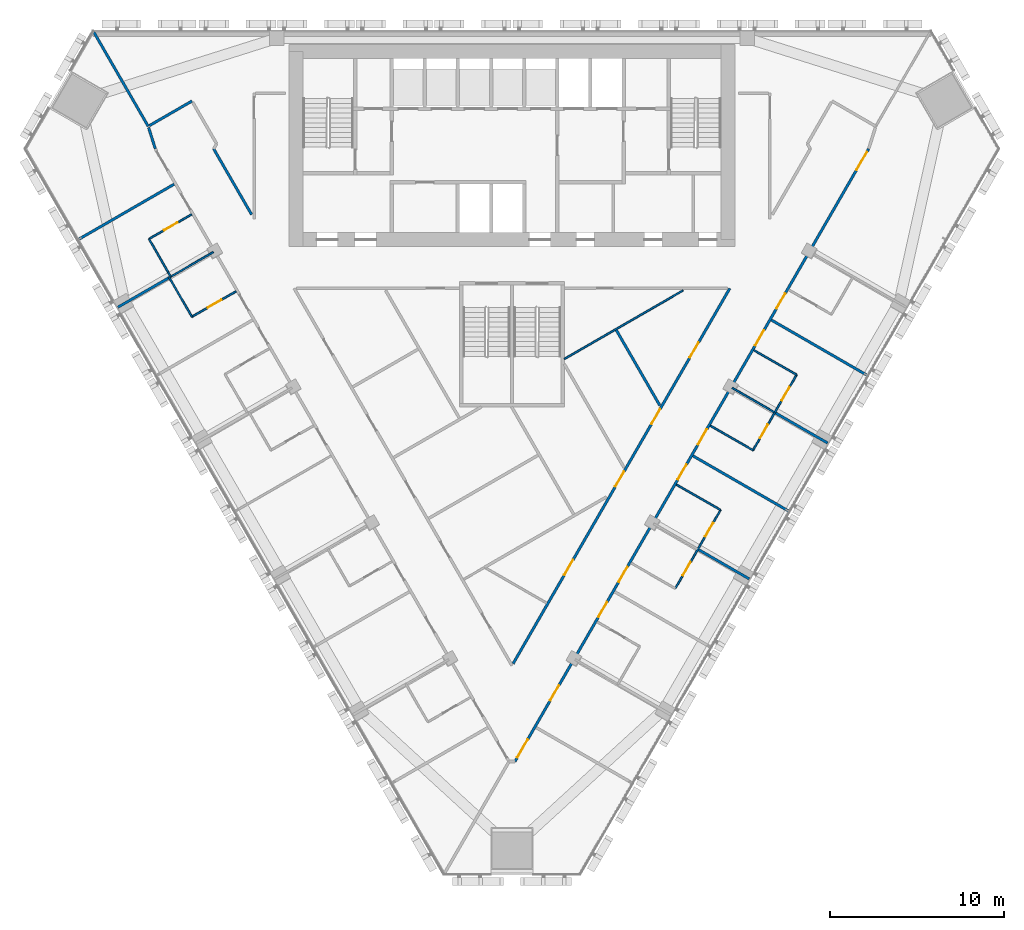
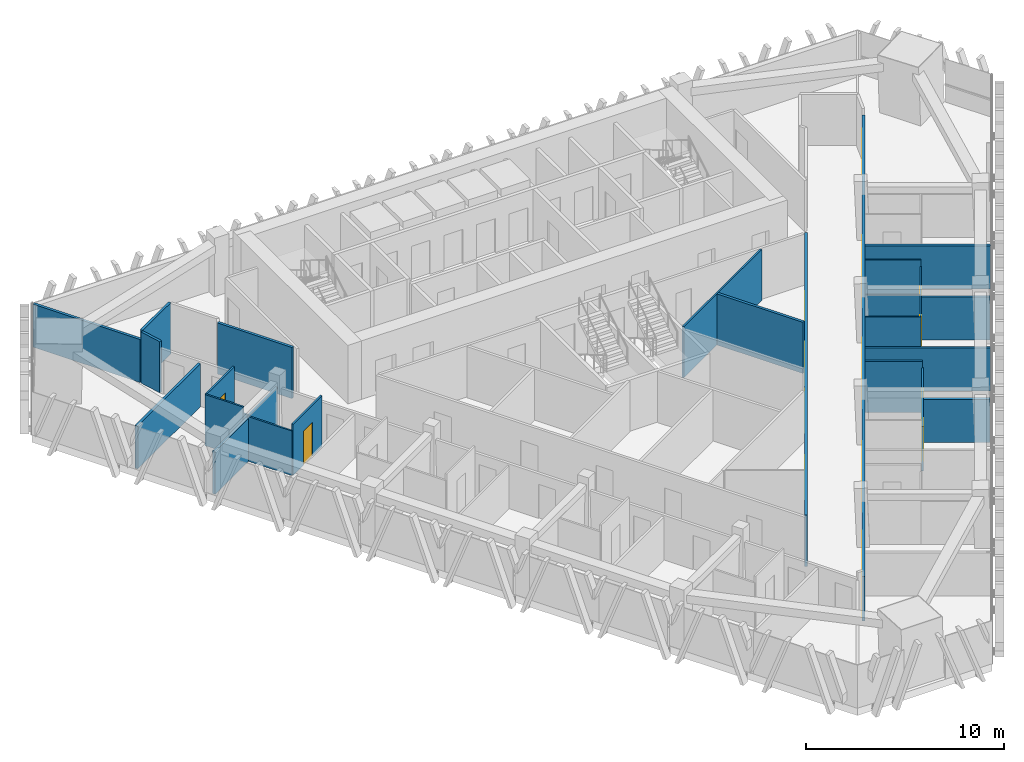
# One storey, part 10 of 16: 26 walls, 19 doors, 19 openings.
"""IFC4 building model written with IfcOpenShell, lengths in metres."""

import ifcopenshell
import ifcopenshell.guid

model = None  # the IFC model being written
_history = None  # IfcOwnerHistory: only IFC2X3 demands one
_inside = {}  # id of a spatial element -> (the spatial element, [elements in it])
_under = {}  # id of a project, library or spatial element -> (it, [spatial elements below it])
_declared = {}  # id of a project -> (the project, [libraries it declares])
_typed = {}  # id of a type object -> (the type object, [elements of that type])
_made_of = {}  # id of a material, layer set ... -> (it, [elements and type objects made of it])


def new_model(schema):
    """Start an empty IFC model of exactly this schema.

    Asked for "IFC4X3", IfcOpenShell would pick the latest addendum, in which some entities
    have other attributes; the version numbers below select the first issue.
    IFC2X3 requires an IfcOwnerHistory on every rooted entity: one is made here for all.
    """
    global model, _history
    if schema == "IFC4X3":
        model = ifcopenshell.file(schema_version=(4, 3, 0, 0))
    else:
        model = ifcopenshell.file(schema=schema)
    _inside.clear()
    _under.clear()
    _declared.clear()
    _typed.clear()
    _made_of.clear()
    _history = None
    if model.schema == "IFC2X3":
        org = make("IfcOrganization", Name="unknown")
        user = make(
            "IfcPersonAndOrganization",
            ThePerson=make("IfcPerson", FamilyName="unknown"),
            TheOrganization=org,
        )
        app = make(
            "IfcApplication",
            ApplicationDeveloper=org,
            Version="unknown",
            ApplicationFullName="unknown",
            ApplicationIdentifier="unknown",
        )
        _history = make(
            "IfcOwnerHistory",
            OwningUser=user,
            OwningApplication=app,
            ChangeAction="ADDED",
            CreationDate=0,
        )
    return model


def make(cls, **values):
    """One entity of the class cls with the attributes given. An attribute that is None is left unset."""
    return model.create_entity(
        cls, **{name: value for name, value in values.items() if value is not None}
    )


def rooted(cls, **values):
    """An entity with a GlobalId (a new one), such as an element, a storey or a relation."""
    return make(cls, GlobalId=ifcopenshell.guid.new(), OwnerHistory=_history, **values)


def si_unit(unit_type, name, prefix=None):
    """IfcSIUnit, for example si_unit("LENGTHUNIT", "METRE", prefix="MILLI")."""
    return make("IfcSIUnit", UnitType=unit_type, Prefix=prefix, Name=name)


def assignment(units):
    """IfcUnitAssignment: the units of a project."""
    return None if units is None else make("IfcUnitAssignment", Units=units)


def point(xyz):
    """IfcCartesianPoint."""
    return None if xyz is None else make("IfcCartesianPoint", Coordinates=xyz)


def direction(xyz):
    """IfcDirection."""
    return None if xyz is None else make("IfcDirection", DirectionRatios=xyz)


def frame(location, z_axis=None, x_axis=None):
    """IfcAxis2Placement3D, a coordinate frame: its origin and axes. An axis left out is left unset."""
    return make(
        "IfcAxis2Placement3D",
        Location=point(location),
        Axis=direction(z_axis),
        RefDirection=direction(x_axis),
    )


def frame_2d(location, x_axis=None):
    """IfcAxis2Placement2D, a coordinate frame in the plane: its origin and x axis."""
    return make(
        "IfcAxis2Placement2D", Location=point(location), RefDirection=direction(x_axis)
    )


def origin():
    """The frame at (0, 0, 0) with its axes left unset."""
    return frame((0.0, 0.0, 0.0))


def place(relative_to, where):
    """IfcLocalPlacement: puts the frame where relative to a parent placement (None: the world)."""
    return make(
        "IfcLocalPlacement", PlacementRelTo=relative_to, RelativePlacement=where
    )


def context(
    kind, dimensions, precision=None, world=None, true_north=None, identifier=None
):
    """IfcGeometricRepresentationContext, for example the 3D "Model" context."""
    return make(
        "IfcGeometricRepresentationContext",
        ContextIdentifier=identifier,
        ContextType=kind,
        CoordinateSpaceDimension=dimensions,
        Precision=precision,
        WorldCoordinateSystem=world,
        TrueNorth=true_north,
    )


def subcontext(parent, identifier, kind, view, scale=None):
    """IfcGeometricRepresentationSubContext, for example "Body" below "Model"."""
    return make(
        "IfcGeometricRepresentationSubContext",
        ContextIdentifier=identifier,
        ContextType=kind,
        ParentContext=parent,
        TargetScale=scale,
        TargetView=view,
    )


def project(units=None, contexts=None):
    """IfcProject with its units and contexts."""
    return rooted(
        "IfcProject",
        Name="project",
        RepresentationContexts=contexts,
        UnitsInContext=assignment(units),
    )


def spatial(cls, under=None, at=None, **own):
    """A site, building, storey or space (cls), placed at a placement, below another one or the project."""
    s = rooted(cls, ObjectPlacement=at, **own)
    if under is not None:
        _under.setdefault(under.id(), (under, []))[1].append(s)
    return s


def profile(cls, at=None, kind="AREA", **sizes):
    """A parametric profile (cls). Its sizes go by their IFC names, for example OverallWidth=200.0."""
    return make(cls, ProfileType=kind, Position=at, **sizes)


def rectangle(**sizes):
    """IfcRectangleProfileDef."""
    return profile("IfcRectangleProfileDef", **sizes)


def extrude(swept, where, along, depth):
    """IfcExtrudedAreaSolid: the profile swept, set in the frame where, extruded along a direction by depth."""
    return make(
        "IfcExtrudedAreaSolid",
        SweptArea=swept,
        Position=where,
        ExtrudedDirection=direction(along),
        Depth=depth,
    )


def shape(context_of_items, identifier, shape_type, items):
    """IfcShapeRepresentation: the items that make up one representation, for example the "Body"."""
    return make(
        "IfcShapeRepresentation",
        ContextOfItems=context_of_items,
        RepresentationIdentifier=identifier,
        RepresentationType=shape_type,
        Items=items,
    )


def material(Name=None, Category=None):
    """IfcMaterial."""
    return make("IfcMaterial", Name=Name, Category=Category)


def layer(
    of_material, thickness, ventilated=None, Name=None, Category=None, Priority=None
):
    """IfcMaterialLayer: one layer of a wall or slab, of a material (None: an air gap)."""
    return make(
        "IfcMaterialLayer",
        Material=of_material,
        LayerThickness=thickness,
        IsVentilated=ventilated,
        Name=Name,
        Category=Category,
        Priority=Priority,
    )


def layer_set(layers, Name=None):
    """IfcMaterialLayerSet."""
    return make("IfcMaterialLayerSet", MaterialLayers=layers, LayerSetName=Name)


def made_of(thing, what):
    """Note that an element or type object is made of a material, layer set ...; save() writes the relation."""
    if what is not None:
        _made_of.setdefault(what.id(), (what, []))[1].append(thing)
    return thing


def type_object(cls, material=None, **own):
    """A type object (cls), such as IfcWallType, which elements share."""
    return made_of(rooted(cls, **own), material)


def element(
    cls,
    number,
    at=None,
    inside=None,
    cuts=None,
    type_object=None,
    material=None,
    context=None,
    identifier="Body",
    shape_type=None,
    held_by="IfcProductDefinitionShape",
    body=None,
    shapes=None,
    **own,
):
    """One element of the class cls, such as IfcWall. Its Tag is "e" and its number.

    at: its placement. inside: the storey or other place that contains it. cuts: it is an
    opening in that element (IfcRelVoidsElement). A single representation is given by context,
    identifier, shape_type and body (its items); several are given by shapes. held_by: the class
    of the entity that holds the representations. save() writes the other relations.
    """
    e = rooted(cls, Tag="e%d" % number, ObjectPlacement=at, **own)
    if body is not None:
        shapes = [shape(context, identifier, shape_type, body)]
    if shapes is not None:
        e.Representation = make(held_by, Representations=shapes)
    if inside is not None:
        _inside.setdefault(inside.id(), (inside, []))[1].append(e)
    if cuts is not None:
        rooted(
            "IfcRelVoidsElement", RelatingBuildingElement=cuts, RelatedOpeningElement=e
        )
    if type_object is not None:
        _typed.setdefault(type_object.id(), (type_object, []))[1].append(e)
    return made_of(e, material)


def fill(opening, filler):
    """IfcRelFillsElement: the door or window that sits in an opening."""
    return rooted(
        "IfcRelFillsElement",
        RelatingOpeningElement=opening,
        RelatedBuildingElement=filler,
    )


def aggregate(whole, parts):
    """IfcRelAggregates: a whole, such as a stair, and the parts it consists of."""
    return rooted("IfcRelAggregates", RelatingObject=whole, RelatedObjects=parts)


def save(model, path):
    """Write the relations noted so far, then the file.

    IfcRelAggregates (storeys below a building ...), IfcRelContainedInSpatialStructure (elements
    in a storey), IfcRelDefinesByType, IfcRelAssociatesMaterial and IfcRelDeclares: one each for
    every whole, place, type object, material and project.
    """
    for whole, parts in _under.values():
        aggregate(whole, parts)
    for where, things in _inside.values():
        rooted(
            "IfcRelContainedInSpatialStructure",
            RelatedElements=things,
            RelatingStructure=where,
        )
    for kind, things in _typed.values():
        rooted("IfcRelDefinesByType", RelatedObjects=things, RelatingType=kind)
    for what, things in _made_of.values():
        rooted("IfcRelAssociatesMaterial", RelatedObjects=things, RelatingMaterial=what)
    for by, libraries in _declared.values():
        rooted("IfcRelDeclares", RelatingContext=by, RelatedDefinitions=libraries)
    model.write(path)


model = new_model("IFC4")

# Units and contexts
model_context = context("Model", 3, precision=1e-05, world=origin(), true_north=direction((0.0, 1.0)))
body_context = subcontext(model_context, "Body", "Model", "MODEL_VIEW")
ifc_project = project(units=[si_unit("LENGTHUNIT", "METRE"), si_unit("AREAUNIT", "SQUARE_METRE"), si_unit("VOLUMEUNIT", "CUBIC_METRE"), si_unit("PLANEANGLEUNIT", "RADIAN"), si_unit("MASSUNIT", "GRAM", prefix="KILO")], contexts=[model_context])

# Site, building, storey
site_placement = place(None, origin())
site = spatial("IfcSite", under=ifc_project, at=site_placement, CompositionType="ELEMENT")
building_placement = place(site_placement, origin())
building = spatial("IfcBuilding", under=site, at=building_placement, Name="Altiplano Prism Tower", CompositionType="ELEMENT")
storey_placement = place(building_placement, frame((0.0, 0.0, 127.800048828125)))
storey = spatial("IfcBuildingStorey", under=building, at=storey_placement, Name="L32", CompositionType="ELEMENT", Elevation=127.800048828125)

# Walls
ifc_material_1 = material(Name="Plasterboard on steel stud", Category="steel")
ifc_layer_1 = layer(ifc_material_1, 0.10009765625)
ifc_layer_set_1 = layer_set([ifc_layer_1], Name="Plasterboard on steel stud")
wall_type_1 = type_object("IfcWallType", Name="Partition 100 unit", PredefinedType="PARTITIONING", material=ifc_layer_set_1)
wall_1_placement = place(storey_placement, frame((65.4208984375, 90.87060546875, 0.0), z_axis=(0.0, 0.0, 1.0), x_axis=(-0.500426713919, 0.865778900179, 0.0)))
element("IfcWall", 1, at=wall_1_placement, inside=storey, type_object=wall_type_1, Name="Partition P02 L32 032", PredefinedType="PARTITIONING", context=body_context, shape_type="SweptSolid", body=[
    extrude(rectangle(XDim=0.300048828125, YDim=0.10009765625, at=frame_2d((0.14990234375, 0.0))), origin(), (0.0, 0.0, 1.0), 2.75),
])
wall_2_placement = place(storey_placement, frame((65.270751953125, 91.13037109375, 0.0), z_axis=(0.0, 0.0, 1.0), x_axis=(-0.499946605688, 0.86605622881, 0.0)))
element("IfcWall", 2, at=wall_2_placement, inside=storey, type_object=wall_type_1, Name="Partition P02 L32 033", PredefinedType="PARTITIONING", context=body_context, shape_type="SweptSolid", body=[
    extrude(rectangle(XDim=2.199951171875, YDim=0.10009765625, at=frame_2d((1.10009765625, 0.0))), origin(), (0.0, 0.0, 1.0), 3.14990234375),
])

# Wall, opening, door
wall_3_placement = place(storey_placement, frame((64.1708984375, 93.03564453125, 0.0), z_axis=(0.0, 0.0, 1.0), x_axis=(0.866011447264, 0.500024172624, 0.0)))
wall_3 = element("IfcWall", 3, at=wall_3_placement, inside=storey, type_object=wall_type_1, Name="Partition P02 L32 034", PredefinedType="PARTITIONING", context=body_context, shape_type="SweptSolid", body=[
    extrude(rectangle(XDim=2.824951171875, YDim=0.10009765625, at=frame_2d((1.41259765625, 0.0))), origin(), (0.0, 0.0, 1.0), 3.14990234375),
])
opening_1_placement = place(wall_3_placement, frame((1.0, 0.0, 0.0)))
opening_1 = element("IfcOpeningElement", 4, at=opening_1_placement, cuts=wall_3, Name="Opening D1143", PredefinedType="OPENING", context=body_context, shape_type="SweptSolid", body=[
    extrude(rectangle(XDim=0.89990234375, YDim=2.10009765625, at=frame_2d((0.449951171875, 1.050048828125))), frame((0.0, 0.060546875, 0.0), z_axis=(0.0, -1.0, 0.0), x_axis=(1.0, 0.0, 0.0)), (0.0, 0.0, 1.0), 0.12109375),
])
ifc_material_2 = material(Name="Timber", Category="wood")
door_type_1 = type_object("IfcDoorType", Name="Ensuite door 900 x 2100", OperationType="NOTDEFINED", PredefinedType="NOTDEFINED", material=ifc_material_2)
door_1_placement = place(opening_1_placement, origin())
door_1 = element("IfcDoor", 5, at=door_1_placement, inside=storey, type_object=door_type_1, Name="Door D1143", OperationType="SINGLE_SWING_LEFT", OverallHeight=2.10009765625, OverallWidth=0.89990234375, PredefinedType="NOTDEFINED", context=body_context, shape_type="SweptSolid", body=[
    extrude(rectangle(XDim=0.89990234375, YDim=2.10009765625, at=frame_2d((0.449951171875, 1.050048828125))), frame((0.0, 0.02490234375, 0.0), z_axis=(0.0, -1.0, 0.0), x_axis=(1.0, 0.0, 0.0)), (0.0, 0.0, 1.0), 0.050048828125),
])
fill(opening_1, door_1)

wall_4_placement = place(storey_placement, frame((69.16748046875, 90.031494140625, 0.0), z_axis=(0.0, 0.0, 1.0), x_axis=(-0.86601045545, -0.500025890382, 0.0)))
wall_4 = element("IfcWall", 6, at=wall_4_placement, inside=storey, type_object=wall_type_1, Name="Partition P02 L32 037", PredefinedType="PARTITIONING", context=body_context, shape_type="SweptSolid", body=[
    extrude(rectangle(XDim=2.925048828125, YDim=0.10009765625, at=frame_2d((1.46240234375, 0.0))), origin(), (0.0, 0.0, 1.0), 3.14990234375),
])
opening_2_placement = place(wall_4_placement, frame((0.97509765625, 0.0, 0.0)))
opening_2 = element("IfcOpeningElement", 7, at=opening_2_placement, cuts=wall_4, Name="Opening D1145", PredefinedType="OPENING", context=body_context, shape_type="SweptSolid", body=[
    extrude(rectangle(XDim=0.89990234375, YDim=2.10009765625, at=frame_2d((0.449951171875, 1.050048828125))), frame((0.0, 0.060546875, 0.0), z_axis=(0.0, -1.0, 0.0), x_axis=(1.0, 0.0, 0.0)), (0.0, 0.0, 1.0), 0.12109375),
])
door_2_placement = place(opening_2_placement, origin())
door_2 = element("IfcDoor", 8, at=door_2_placement, inside=storey, type_object=door_type_1, Name="Door D1145", OperationType="SINGLE_SWING_LEFT", OverallHeight=2.10009765625, OverallWidth=0.89990234375, PredefinedType="NOTDEFINED", context=body_context, shape_type="SweptSolid", body=[
    extrude(rectangle(XDim=0.89990234375, YDim=2.10009765625, at=frame_2d((0.449951171875, 1.050048828125))), frame((0.0, 0.02490234375, 0.0), z_axis=(0.0, -1.0, 0.0), x_axis=(1.0, 0.0, 0.0)), (0.0, 0.0, 1.0), 0.050048828125),
])
fill(opening_2, door_2)

# Walls
wall_5_placement = place(storey_placement, frame((66.63427734375, 88.56884765625, 0.0), z_axis=(0.0, 0.0, 1.0), x_axis=(-0.500006934395, 0.866021400173, 0.0)))
element("IfcWall", 9, at=wall_5_placement, inside=storey, type_object=wall_type_1, Name="Partition P02 L32 038", PredefinedType="PARTITIONING", context=body_context, shape_type="SweptSolid", body=[
    extrude(rectangle(XDim=2.60009765625, YDim=0.10009765625, at=frame_2d((1.300048828125, 0.0))), origin(), (0.0, 0.0, 1.0), 2.75),
])
wall_6_placement = place(storey_placement, frame((94.4326171875, 78.9462890625, 0.0), z_axis=(0.0, 0.0, 1.0), x_axis=(0.866046596414, -0.499963291492, 0.0)))
element("IfcWall", 10, at=wall_6_placement, inside=storey, type_object=wall_type_1, Name="Partition P02 L32 066", PredefinedType="PARTITIONING", context=body_context, shape_type="SweptSolid", body=[
    extrude(rectangle(XDim=2.925048828125, YDim=0.10009765625, at=frame_2d((1.46240234375, 0.0))), origin(), (0.0, 0.0, 1.0), 3.14990234375),
])

# Wall, openings, doors
wall_7_placement = place(storey_placement, frame((96.9658203125, 77.48388671875, 0.0), z_axis=(0.0, 0.0, 1.0), x_axis=(-0.500006934395, -0.866021400173, 0.0)))
wall_7 = element("IfcWall", 11, at=wall_7_placement, inside=storey, type_object=wall_type_1, Name="Partition P02 L32 067", PredefinedType="PARTITIONING", context=body_context, shape_type="SweptSolid", body=[
    extrude(rectangle(XDim=5.2001953125, YDim=0.10009765625, at=frame_2d((2.60009765625, 0.0))), origin(), (0.0, 0.0, 1.0), 2.75),
])
opening_3_placement = place(wall_7_placement, frame((3.449951171875, 0.0, 0.0)))
opening_3 = element("IfcOpeningElement", 12, at=opening_3_placement, cuts=wall_7, Name="Opening D1162", PredefinedType="OPENING", context=body_context, shape_type="SweptSolid", body=[
    extrude(rectangle(XDim=0.89990234375, YDim=2.10009765625, at=frame_2d((0.449951171875, 1.050048828125))), frame((0.0, 0.060546875, 0.0), z_axis=(0.0, -1.0, 0.0), x_axis=(1.0, 0.0, 0.0)), (0.0, 0.0, 1.0), 0.12109375),
])
opening_4_placement = place(wall_7_placement, frame((0.85009765625, 0.0, 0.0)))
opening_4 = element("IfcOpeningElement", 13, at=opening_4_placement, cuts=wall_7, Name="Opening D1164", PredefinedType="OPENING", context=body_context, shape_type="SweptSolid", body=[
    extrude(rectangle(XDim=0.89990234375, YDim=2.10009765625, at=frame_2d((0.449951171875, 1.050048828125))), frame((0.0, 0.060546875, 0.0), z_axis=(0.0, -1.0, 0.0), x_axis=(1.0, 0.0, 0.0)), (0.0, 0.0, 1.0), 0.12109375),
])
door_3_placement = place(opening_3_placement, origin())
door_3 = element("IfcDoor", 14, at=door_3_placement, inside=storey, type_object=door_type_1, Name="Door D1162", OperationType="SINGLE_SWING_LEFT", OverallHeight=2.10009765625, OverallWidth=0.89990234375, PredefinedType="NOTDEFINED", context=body_context, shape_type="SweptSolid", body=[
    extrude(rectangle(XDim=0.89990234375, YDim=2.10009765625, at=frame_2d((0.449951171875, 1.050048828125))), frame((0.0, 0.02490234375, 0.0), z_axis=(0.0, -1.0, 0.0), x_axis=(1.0, 0.0, 0.0)), (0.0, 0.0, 1.0), 0.050048828125),
])
fill(opening_3, door_3)
door_4_placement = place(opening_4_placement, origin())
door_4 = element("IfcDoor", 15, at=door_4_placement, inside=storey, type_object=door_type_1, Name="Door D1164", OperationType="SINGLE_SWING_LEFT", OverallHeight=2.10009765625, OverallWidth=0.89990234375, PredefinedType="NOTDEFINED", context=body_context, shape_type="SweptSolid", body=[
    extrude(rectangle(XDim=0.89990234375, YDim=2.10009765625, at=frame_2d((0.449951171875, 1.050048828125))), frame((0.0, 0.02490234375, 0.0), z_axis=(0.0, -1.0, 0.0), x_axis=(1.0, 0.0, 0.0)), (0.0, 0.0, 1.0), 0.050048828125),
])
fill(opening_4, door_4)

# Walls
for number, where, z_axis, x_axis, name in (
    (16, (98.8291015625, 80.911376953125, 0.0), (0.0, 0.0, 1.0), (-0.866048868473, 0.499959355765, 0.0), "Partition P02 L32 069"),
    (17, (98.882568359375, 86.654052734375, 0.0), (0.0, 0.0, 1.0), (0.866011447264, -0.500024172624, 0.0), "Partition P02 L32 072"),
):
    element("IfcWall", number, at=place(storey_placement, frame(where, z_axis=z_axis, x_axis=x_axis)), inside=storey, type_object=wall_type_1, Name=name, PredefinedType="PARTITIONING", context=body_context, shape_type="SweptSolid", body=[
        extrude(rectangle(XDim=2.824951171875, YDim=0.10009765625, at=frame_2d((1.41259765625, 0.0))), origin(), (0.0, 0.0, 1.0), 3.14990234375),
    ])

# Wall, openings, doors
wall_8_placement = place(storey_placement, frame((101.3291015625, 85.241455078125, 0.0), z_axis=(0.0, 0.0, 1.0), x_axis=(-0.500004234368, -0.866022959057, 0.0)))
wall_8 = element("IfcWall", 18, at=wall_8_placement, inside=storey, type_object=wall_type_1, Name="Partition P02 L32 073", PredefinedType="PARTITIONING", context=body_context, shape_type="SweptSolid", body=[
    extrude(rectangle(XDim=5.0, YDim=0.10009765625, at=frame_2d((2.5, 0.0))), origin(), (0.0, 0.0, 1.0), 2.75),
])
opening_5_placement = place(wall_8_placement, frame((3.300048828125, 0.0, 0.0)))
opening_5 = element("IfcOpeningElement", 19, at=opening_5_placement, cuts=wall_8, Name="Opening D1166", PredefinedType="OPENING", context=body_context, shape_type="SweptSolid", body=[
    extrude(rectangle(XDim=0.89990234375, YDim=2.10009765625, at=frame_2d((0.449951171875, 1.050048828125))), frame((0.0, 0.060546875, 0.0), z_axis=(0.0, -1.0, 0.0), x_axis=(1.0, 0.0, 0.0)), (0.0, 0.0, 1.0), 0.12109375),
])
opening_6_placement = place(wall_8_placement, frame((0.800048828125, 0.0, 0.0)))
opening_6 = element("IfcOpeningElement", 20, at=opening_6_placement, cuts=wall_8, Name="Opening D1168", PredefinedType="OPENING", context=body_context, shape_type="SweptSolid", body=[
    extrude(rectangle(XDim=0.89990234375, YDim=2.10009765625, at=frame_2d((0.449951171875, 1.050048828125))), frame((0.0, 0.060546875, 0.0), z_axis=(0.0, -1.0, 0.0), x_axis=(1.0, 0.0, 0.0)), (0.0, 0.0, 1.0), 0.12109375),
])
door_5_placement = place(opening_5_placement, origin())
door_5 = element("IfcDoor", 21, at=door_5_placement, inside=storey, type_object=door_type_1, Name="Door D1166", OperationType="SINGLE_SWING_RIGHT", OverallHeight=2.10009765625, OverallWidth=0.89990234375, PredefinedType="NOTDEFINED", context=body_context, shape_type="SweptSolid", body=[
    extrude(rectangle(XDim=0.89990234375, YDim=2.10009765625, at=frame_2d((0.449951171875, 1.050048828125))), frame((0.0, 0.02490234375, 0.0), z_axis=(0.0, -1.0, 0.0), x_axis=(1.0, 0.0, 0.0)), (0.0, 0.0, 1.0), 0.050048828125),
])
fill(opening_5, door_5)
door_6_placement = place(opening_6_placement, origin())
door_6 = element("IfcDoor", 22, at=door_6_placement, inside=storey, type_object=door_type_1, Name="Door D1168", OperationType="SINGLE_SWING_LEFT", OverallHeight=2.10009765625, OverallWidth=0.89990234375, PredefinedType="NOTDEFINED", context=body_context, shape_type="SweptSolid", body=[
    extrude(rectangle(XDim=0.89990234375, YDim=2.10009765625, at=frame_2d((0.449951171875, 1.050048828125))), frame((0.0, 0.02490234375, 0.0), z_axis=(0.0, -1.0, 0.0), x_axis=(1.0, 0.0, 0.0)), (0.0, 0.0, 1.0), 0.050048828125),
])
fill(opening_6, door_6)

# Walls
ifc_layer_2 = layer(ifc_material_1, 0.10009765625)
ifc_layer_set_2 = layer_set([ifc_layer_2], Name="Plasterboard on steel stud")
wall_type_2 = type_object("IfcWallType", Name="Partition 100 wet", PredefinedType="PARTITIONING", material=ifc_layer_set_2)
wall_9_placement = place(storey_placement, frame((88.0, 86.1474609375, 0.0), z_axis=(0.0, 0.0, 1.0), x_axis=(0.866017656312, 0.500013418776, 0.0)))
element("IfcWall", 23, at=wall_9_placement, inside=storey, type_object=wall_type_2, Name="Partition P03 L32 024", PredefinedType="PARTITIONING", context=body_context, shape_type="SweptSolid", body=[
    extrude(rectangle(XDim=7.868408203125, YDim=0.10009765625, at=frame_2d((3.93408203125, 0.0))), origin(), (0.0, 0.0, 1.0), 3.14990234375),
])
wall_10_placement = place(storey_placement, frame((65.403564453125, 90.860595703125, 0.0), z_axis=(0.0, 0.0, 1.0), x_axis=(0.866011243319, 0.500024525844, 0.0)))
element("IfcWall", 24, at=wall_10_placement, inside=storey, type_object=wall_type_2, Name="Partition P03 L32 036", PredefinedType="PARTITIONING", context=body_context, shape_type="SweptSolid", body=[
    extrude(rectangle(XDim=2.844970703125, YDim=0.10009765625, at=frame_2d((1.42236328125, 0.0))), origin(), (0.0, 0.0, 1.0), 2.75),
])
wall_11_placement = place(storey_placement, frame((100.035888671875, 83.101318359375, 0.0), z_axis=(0.0, 0.0, 1.0), x_axis=(-0.86600392025, 0.500037208726, 0.0)))
element("IfcWall", 25, at=wall_11_placement, inside=storey, type_object=wall_type_2, Name="Partition P03 L32 071", PredefinedType="PARTITIONING", context=body_context, shape_type="SweptSolid", body=[
    extrude(rectangle(XDim=2.775146484375, YDim=0.10009765625, at=frame_2d((1.3876953125, 0.0))), origin(), (0.0, 0.0, 1.0), 2.75),
])

# Wall, openings, doors
ifc_layer_3 = layer(ifc_material_1, 0.14990234375)
ifc_layer_set_3 = layer_set([ifc_layer_3], Name="Plasterboard on steel stud")
wall_type_3 = type_object("IfcWallType", Name="Partition 150 corridor", PredefinedType="PARTITIONING", material=ifc_layer_set_3)
wall_12_placement = place(storey_placement, frame((97.49462890625, 90.199951171875, 0.0), z_axis=(0.0, 0.0, 1.0), x_axis=(-0.500000725976, -0.866024984641, 0.0)))
wall_12 = element("IfcWall", 26, at=wall_12_placement, inside=storey, type_object=wall_type_3, Name="Partition P06 L32 003", PredefinedType="PARTITIONING", context=body_context, shape_type="SweptSolid", body=[
    extrude(rectangle(XDim=24.859375, YDim=0.14990234375, at=frame_2d((12.4296875, 0.0))), origin(), (0.0, 0.0, 1.0), 3.14990234375),
])
opening_7_placement = place(wall_12_placement, frame((17.97998046875, 0.0, 0.0)))
opening_7 = element("IfcOpeningElement", 27, at=opening_7_placement, cuts=wall_12, Name="Opening D1137", PredefinedType="OPENING", context=body_context, shape_type="SweptSolid", body=[
    extrude(rectangle(XDim=1.0, YDim=2.10009765625, at=frame_2d((0.5, 1.050048828125))), frame((0.0, 0.08544921875, 0.0), z_axis=(0.0, -1.0, 0.0), x_axis=(1.0, 0.0, 0.0)), (0.0, 0.0, 1.0), 0.1708984375),
])
opening_8_placement = place(wall_12_placement, frame((3.5849609375, 0.0, 0.0)))
opening_8 = element("IfcOpeningElement", 28, at=opening_8_placement, cuts=wall_12, Name="Opening D1139", PredefinedType="OPENING", context=body_context, shape_type="SweptSolid", body=[
    extrude(rectangle(XDim=1.0, YDim=2.10009765625, at=frame_2d((0.5, 1.050048828125))), frame((0.0, 0.08544921875, 0.0), z_axis=(0.0, -1.0, 0.0), x_axis=(1.0, 0.0, 0.0)), (0.0, 0.0, 1.0), 0.1708984375),
])
opening_9_placement = place(wall_12_placement, frame((12.131103515625, 0.0, 0.0)))
opening_9 = element("IfcOpeningElement", 29, at=opening_9_placement, cuts=wall_12, Name="Opening D1176", PredefinedType="OPENING", context=body_context, shape_type="SweptSolid", body=[
    extrude(rectangle(XDim=1.0, YDim=2.10009765625, at=frame_2d((0.5, 1.050048828125))), frame((0.0, 0.08544921875, 0.0), z_axis=(0.0, -1.0, 0.0), x_axis=(1.0, 0.0, 0.0)), (0.0, 0.0, 1.0), 0.1708984375),
])
opening_10_placement = place(wall_12_placement, frame((7.992919921875, 0.0, 0.0)))
opening_10 = element("IfcOpeningElement", 30, at=opening_10_placement, cuts=wall_12, Name="Opening D1178", PredefinedType="OPENING", context=body_context, shape_type="SweptSolid", body=[
    extrude(rectangle(XDim=1.0, YDim=2.10009765625, at=frame_2d((0.5, 1.050048828125))), frame((0.0, 0.08544921875, 0.0), z_axis=(0.0, -1.0, 0.0), x_axis=(1.0, 0.0, 0.0)), (0.0, 0.0, 1.0), 0.1708984375),
])
door_type_2 = type_object("IfcDoorType", Name="Room door 1000 x 2100", OperationType="NOTDEFINED", PredefinedType="NOTDEFINED", material=ifc_material_2)
door_7_placement = place(opening_9_placement, origin())
door_7 = element("IfcDoor", 31, at=door_7_placement, inside=storey, type_object=door_type_2, Name="Door D1176", OperationType="SINGLE_SWING_RIGHT", OverallHeight=2.10009765625, OverallWidth=1.0, PredefinedType="NOTDEFINED", context=body_context, shape_type="SweptSolid", body=[
    extrude(rectangle(XDim=1.0, YDim=2.10009765625, at=frame_2d((0.5, 1.050048828125))), frame((0.0, 0.02490234375, 0.0), z_axis=(0.0, -1.0, 0.0), x_axis=(1.0, 0.0, 0.0)), (0.0, 0.0, 1.0), 0.050048828125),
])
fill(opening_9, door_7)
door_8_placement = place(opening_10_placement, origin())
door_8 = element("IfcDoor", 32, at=door_8_placement, inside=storey, type_object=door_type_2, Name="Door D1178", OperationType="SINGLE_SWING_RIGHT", OverallHeight=2.10009765625, OverallWidth=1.0, PredefinedType="NOTDEFINED", context=body_context, shape_type="SweptSolid", body=[
    extrude(rectangle(XDim=1.0, YDim=2.10009765625, at=frame_2d((0.5, 1.050048828125))), frame((0.0, 0.02490234375, 0.0), z_axis=(0.0, -1.0, 0.0), x_axis=(1.0, 0.0, 0.0)), (0.0, 0.0, 1.0), 0.050048828125),
])
fill(opening_10, door_8)
door_type_3 = type_object("IfcDoorType", Name="Store door 1000 x 2100", OperationType="NOTDEFINED", PredefinedType="NOTDEFINED", material=ifc_material_2)
door_9_placement = place(opening_7_placement, origin())
door_9 = element("IfcDoor", 33, at=door_9_placement, inside=storey, type_object=door_type_3, Name="Door D1137", OperationType="SINGLE_SWING_RIGHT", OverallHeight=2.10009765625, OverallWidth=1.0, PredefinedType="NOTDEFINED", context=body_context, shape_type="SweptSolid", body=[
    extrude(rectangle(XDim=1.0, YDim=2.10009765625, at=frame_2d((0.5, 1.050048828125))), frame((0.0, 0.02490234375, 0.0), z_axis=(0.0, -1.0, 0.0), x_axis=(1.0, 0.0, 0.0)), (0.0, 0.0, 1.0), 0.050048828125),
])
fill(opening_7, door_9)
door_10_placement = place(opening_8_placement, origin())
door_10 = element("IfcDoor", 34, at=door_10_placement, inside=storey, type_object=door_type_3, Name="Door D1139", OperationType="SINGLE_SWING_LEFT", OverallHeight=2.10009765625, OverallWidth=1.0, PredefinedType="NOTDEFINED", context=body_context, shape_type="SweptSolid", body=[
    extrude(rectangle(XDim=1.0, YDim=2.10009765625, at=frame_2d((0.5, 1.050048828125))), frame((0.0, 0.02490234375, 0.0), z_axis=(0.0, -1.0, 0.0), x_axis=(1.0, 0.0, 0.0)), (0.0, 0.0, 1.0), 0.050048828125),
])
fill(opening_8, door_10)

# Wall
wall_13_placement = place(storey_placement, frame((64.148681640625, 99.43017578125, 0.0), z_axis=(0.0, 0.0, 1.0), x_axis=(0.300548671062, -0.953766478926, 0.0)))
element("IfcWall", 35, at=wall_13_placement, inside=storey, type_object=wall_type_3, Name="Partition P06 L32 004", PredefinedType="PARTITIONING", context=body_context, shape_type="SweptSolid", body=[
    extrude(rectangle(XDim=1.283447265625, YDim=0.14990234375, at=frame_2d((0.6416015625, 0.0))), origin(), (0.0, 0.0, 1.0), 3.14990234375),
])

# Wall, openings, doors
wall_14_placement = place(storey_placement, frame((85.169677734375, 63.052490234375, 0.0), z_axis=(0.0, 0.0, 1.0), x_axis=(0.499999603446, 0.866025632735, 0.0)))
wall_14 = element("IfcWall", 36, at=wall_14_placement, inside=storey, type_object=wall_type_3, Name="Partition P06 L32 007", PredefinedType="PARTITIONING", context=body_context, shape_type="SweptSolid", body=[
    extrude(rectangle(XDim=40.591796875, YDim=0.14990234375, at=frame_2d((20.2958984375, 0.0))), origin(), (0.0, 0.0, 1.0), 2.75),
])
opening_11_placement = place(wall_14_placement, frame((0.27294921875, 0.0, 0.0)))
opening_11 = element("IfcOpeningElement", 37, at=opening_11_placement, cuts=wall_14, Name="Opening D1157", PredefinedType="OPENING", context=body_context, shape_type="SweptSolid", body=[
    extrude(rectangle(XDim=1.199951171875, YDim=2.10009765625, at=frame_2d((0.60009765625, 1.050048828125))), frame((0.0, 0.08544921875, 0.0), z_axis=(0.0, -1.0, 0.0), x_axis=(1.0, 0.0, 0.0)), (0.0, 0.0, 1.0), 0.1708984375),
])
opening_12_placement = place(wall_14_placement, frame((4.0458984375, 0.0, 0.0)))
opening_12 = element("IfcOpeningElement", 38, at=opening_12_placement, cuts=wall_14, Name="Opening D1158", PredefinedType="OPENING", context=body_context, shape_type="SweptSolid", body=[
    extrude(rectangle(XDim=1.0, YDim=2.10009765625, at=frame_2d((0.5, 1.050048828125))), frame((0.0, 0.08544921875, 0.0), z_axis=(0.0, -1.0, 0.0), x_axis=(1.0, 0.0, 0.0)), (0.0, 0.0, 1.0), 0.1708984375),
])
opening_13_placement = place(wall_14_placement, frame((9.575927734375, 0.0, 0.0)))
opening_13 = element("IfcOpeningElement", 39, at=opening_13_placement, cuts=wall_14, Name="Opening D1159", PredefinedType="OPENING", context=body_context, shape_type="SweptSolid", body=[
    extrude(rectangle(XDim=1.0, YDim=2.10009765625, at=frame_2d((0.5, 1.050048828125))), frame((0.0, 0.08544921875, 0.0), z_axis=(0.0, -1.0, 0.0), x_axis=(1.0, 0.0, 0.0)), (0.0, 0.0, 1.0), 0.1708984375),
])
opening_14_placement = place(wall_14_placement, frame((11.90087890625, 0.0, 0.0)))
opening_14 = element("IfcOpeningElement", 40, at=opening_14_placement, cuts=wall_14, Name="Opening D1161", PredefinedType="OPENING", context=body_context, shape_type="SweptSolid", body=[
    extrude(rectangle(XDim=1.0, YDim=2.10009765625, at=frame_2d((0.5, 1.050048828125))), frame((0.0, 0.08544921875, 0.0), z_axis=(0.0, -1.0, 0.0), x_axis=(1.0, 0.0, 0.0)), (0.0, 0.0, 1.0), 0.1708984375),
])
opening_15_placement = place(wall_14_placement, frame((18.69091796875, 0.0, 0.0)))
opening_15 = element("IfcOpeningElement", 41, at=opening_15_placement, cuts=wall_14, Name="Opening D1163", PredefinedType="OPENING", context=body_context, shape_type="SweptSolid", body=[
    extrude(rectangle(XDim=1.0, YDim=2.10009765625, at=frame_2d((0.5, 1.050048828125))), frame((0.0, 0.08544921875, 0.0), z_axis=(0.0, -1.0, 0.0), x_axis=(1.0, 0.0, 0.0)), (0.0, 0.0, 1.0), 0.1708984375),
])
opening_16_placement = place(wall_14_placement, frame((21.01611328125, 0.0, 0.0)))
opening_16 = element("IfcOpeningElement", 42, at=opening_16_placement, cuts=wall_14, Name="Opening D1165", PredefinedType="OPENING", context=body_context, shape_type="SweptSolid", body=[
    extrude(rectangle(XDim=1.0, YDim=2.10009765625, at=frame_2d((0.5, 1.050048828125))), frame((0.0, 0.08544921875, 0.0), z_axis=(0.0, -1.0, 0.0), x_axis=(1.0, 0.0, 0.0)), (0.0, 0.0, 1.0), 0.1708984375),
])
opening_17_placement = place(wall_14_placement, frame((27.575927734375, 0.0, 0.0)))
opening_17 = element("IfcOpeningElement", 43, at=opening_17_placement, cuts=wall_14, Name="Opening D1167", PredefinedType="OPENING", context=body_context, shape_type="SweptSolid", body=[
    extrude(rectangle(XDim=1.0, YDim=2.10009765625, at=frame_2d((0.5, 1.050048828125))), frame((0.0, 0.08544921875, 0.0), z_axis=(0.0, -1.0, 0.0), x_axis=(1.0, 0.0, 0.0)), (0.0, 0.0, 1.0), 0.1708984375),
])
opening_18_placement = place(wall_14_placement, frame((30.01611328125, 0.0, 0.0)))
opening_18 = element("IfcOpeningElement", 44, at=opening_18_placement, cuts=wall_14, Name="Opening D1169", PredefinedType="OPENING", context=body_context, shape_type="SweptSolid", body=[
    extrude(rectangle(XDim=1.0, YDim=2.10009765625, at=frame_2d((0.5, 1.050048828125))), frame((0.0, 0.08544921875, 0.0), z_axis=(0.0, -1.0, 0.0), x_axis=(1.0, 0.0, 0.0)), (0.0, 0.0, 1.0), 0.1708984375),
])
opening_19_placement = place(wall_14_placement, frame((39.19189453125, 0.0, 0.0)))
opening_19 = element("IfcOpeningElement", 45, at=opening_19_placement, cuts=wall_14, Name="Opening D1171", PredefinedType="OPENING", context=body_context, shape_type="SweptSolid", body=[
    extrude(rectangle(XDim=1.199951171875, YDim=2.10009765625, at=frame_2d((0.60009765625, 1.050048828125))), frame((0.0, 0.08544921875, 0.0), z_axis=(0.0, -1.0, 0.0), x_axis=(1.0, 0.0, 0.0)), (0.0, 0.0, 1.0), 0.1708984375),
])
door_type_4 = type_object("IfcDoorType", Name="Bedroom entrance door 1000 x 2100", OperationType="NOTDEFINED", PredefinedType="NOTDEFINED", material=ifc_material_2)
door_11_placement = place(opening_13_placement, origin())
door_11 = element("IfcDoor", 46, at=door_11_placement, inside=storey, type_object=door_type_4, Name="Door D1159", OperationType="SINGLE_SWING_RIGHT", OverallHeight=2.10009765625, OverallWidth=1.0, PredefinedType="NOTDEFINED", context=body_context, shape_type="SweptSolid", body=[
    extrude(rectangle(XDim=1.0, YDim=2.10009765625, at=frame_2d((0.5, 1.050048828125))), frame((0.0, 0.02490234375, 0.0), z_axis=(0.0, -1.0, 0.0), x_axis=(1.0, 0.0, 0.0)), (0.0, 0.0, 1.0), 0.050048828125),
])
fill(opening_13, door_11)
door_12_placement = place(opening_14_placement, origin())
door_12 = element("IfcDoor", 47, at=door_12_placement, inside=storey, type_object=door_type_4, Name="Door D1161", OperationType="SINGLE_SWING_RIGHT", OverallHeight=2.10009765625, OverallWidth=1.0, PredefinedType="NOTDEFINED", context=body_context, shape_type="SweptSolid", body=[
    extrude(rectangle(XDim=1.0, YDim=2.10009765625, at=frame_2d((0.5, 1.050048828125))), frame((0.0, 0.02490234375, 0.0), z_axis=(0.0, -1.0, 0.0), x_axis=(1.0, 0.0, 0.0)), (0.0, 0.0, 1.0), 0.050048828125),
])
fill(opening_14, door_12)
door_13_placement = place(opening_15_placement, origin())
door_13 = element("IfcDoor", 48, at=door_13_placement, inside=storey, type_object=door_type_4, Name="Door D1163", OperationType="SINGLE_SWING_LEFT", OverallHeight=2.10009765625, OverallWidth=1.0, PredefinedType="NOTDEFINED", context=body_context, shape_type="SweptSolid", body=[
    extrude(rectangle(XDim=1.0, YDim=2.10009765625, at=frame_2d((0.5, 1.050048828125))), frame((0.0, 0.02490234375, 0.0), z_axis=(0.0, -1.0, 0.0), x_axis=(1.0, 0.0, 0.0)), (0.0, 0.0, 1.0), 0.050048828125),
])
fill(opening_15, door_13)
door_14_placement = place(opening_16_placement, origin())
door_14 = element("IfcDoor", 49, at=door_14_placement, inside=storey, type_object=door_type_4, Name="Door D1165", OperationType="SINGLE_SWING_RIGHT", OverallHeight=2.10009765625, OverallWidth=1.0, PredefinedType="NOTDEFINED", context=body_context, shape_type="SweptSolid", body=[
    extrude(rectangle(XDim=1.0, YDim=2.10009765625, at=frame_2d((0.5, 1.050048828125))), frame((0.0, 0.02490234375, 0.0), z_axis=(0.0, -1.0, 0.0), x_axis=(1.0, 0.0, 0.0)), (0.0, 0.0, 1.0), 0.050048828125),
])
fill(opening_16, door_14)
door_15_placement = place(opening_17_placement, origin())
door_15 = element("IfcDoor", 50, at=door_15_placement, inside=storey, type_object=door_type_4, Name="Door D1167", OperationType="SINGLE_SWING_LEFT", OverallHeight=2.10009765625, OverallWidth=1.0, PredefinedType="NOTDEFINED", context=body_context, shape_type="SweptSolid", body=[
    extrude(rectangle(XDim=1.0, YDim=2.10009765625, at=frame_2d((0.5, 1.050048828125))), frame((0.0, 0.02490234375, 0.0), z_axis=(0.0, -1.0, 0.0), x_axis=(1.0, 0.0, 0.0)), (0.0, 0.0, 1.0), 0.050048828125),
])
fill(opening_17, door_15)
door_16_placement = place(opening_18_placement, origin())
door_16 = element("IfcDoor", 51, at=door_16_placement, inside=storey, type_object=door_type_4, Name="Door D1169", OperationType="SINGLE_SWING_LEFT", OverallHeight=2.10009765625, OverallWidth=1.0, PredefinedType="NOTDEFINED", context=body_context, shape_type="SweptSolid", body=[
    extrude(rectangle(XDim=1.0, YDim=2.10009765625, at=frame_2d((0.5, 1.050048828125))), frame((0.0, 0.02490234375, 0.0), z_axis=(0.0, -1.0, 0.0), x_axis=(1.0, 0.0, 0.0)), (0.0, 0.0, 1.0), 0.050048828125),
])
fill(opening_18, door_16)
door_17_placement = place(opening_12_placement, origin())
door_17 = element("IfcDoor", 52, at=door_17_placement, inside=storey, type_object=door_type_2, Name="Door D1158", OperationType="SINGLE_SWING_LEFT", OverallHeight=2.10009765625, OverallWidth=1.0, PredefinedType="NOTDEFINED", context=body_context, shape_type="SweptSolid", body=[
    extrude(rectangle(XDim=1.0, YDim=2.10009765625, at=frame_2d((0.5, 1.050048828125))), frame((0.0, 0.02490234375, 0.0), z_axis=(0.0, -1.0, 0.0), x_axis=(1.0, 0.0, 0.0)), (0.0, 0.0, 1.0), 0.050048828125),
])
fill(opening_12, door_17)
door_type_5 = type_object("IfcDoorType", Name="Shared room door 1200 x 2100", OperationType="NOTDEFINED", PredefinedType="NOTDEFINED", material=ifc_material_2)
door_18_placement = place(opening_11_placement, origin())
door_18 = element("IfcDoor", 53, at=door_18_placement, inside=storey, type_object=door_type_5, Name="Door D1157", OperationType="SINGLE_SWING_LEFT", OverallHeight=2.10009765625, OverallWidth=1.199951171875, PredefinedType="NOTDEFINED", context=body_context, shape_type="SweptSolid", body=[
    extrude(rectangle(XDim=1.199951171875, YDim=2.10009765625, at=frame_2d((0.60009765625, 1.050048828125))), frame((0.0, 0.02490234375, 0.0), z_axis=(0.0, -1.0, 0.0), x_axis=(1.0, 0.0, 0.0)), (0.0, 0.0, 1.0), 0.050048828125),
])
fill(opening_11, door_18)
door_19_placement = place(opening_19_placement, origin())
door_19 = element("IfcDoor", 54, at=door_19_placement, inside=storey, type_object=door_type_5, Name="Door D1171", OperationType="SINGLE_SWING_LEFT", OverallHeight=2.10009765625, OverallWidth=1.199951171875, PredefinedType="NOTDEFINED", context=body_context, shape_type="SweptSolid", body=[
    extrude(rectangle(XDim=1.199951171875, YDim=2.10009765625, at=frame_2d((0.60009765625, 1.050048828125))), frame((0.0, 0.02490234375, 0.0), z_axis=(0.0, -1.0, 0.0), x_axis=(1.0, 0.0, 0.0)), (0.0, 0.0, 1.0), 0.050048828125),
])
fill(opening_19, door_19)

# Walls
wall_15_placement = place(storey_placement, frame((70.06005859375, 94.435302734375, 0.0), z_axis=(0.0, 0.0, 1.0), x_axis=(-0.499992644437, 0.866029650479, 0.0)))
element("IfcWall", 55, at=wall_15_placement, inside=storey, type_object=wall_type_3, Name="Partition P06 L32 017", PredefinedType="PARTITIONING", context=body_context, shape_type="SweptSolid", body=[
    extrude(rectangle(XDim=4.35400390625, YDim=0.14990234375, at=frame_2d((2.177001953125, 0.0))), origin(), (0.0, 0.0, 1.0), 3.14990234375),
])
wall_16_placement = place(storey_placement, frame((66.63818359375, 100.949951171875, 0.0), z_axis=(0.0, 0.0, 1.0), x_axis=(-0.866048868473, -0.499959355765, 0.0)))
element("IfcWall", 56, at=wall_16_placement, inside=storey, type_object=wall_type_3, Name="Partition P06 L32 020", PredefinedType="PARTITIONING", context=body_context, shape_type="SweptSolid", body=[
    extrude(rectangle(XDim=2.824951171875, YDim=0.14990234375, at=frame_2d((1.41259765625, 0.0))), origin(), (0.0, 0.0, 1.0), 3.14990234375),
])
ifc_layer_4 = layer(ifc_material_1, 0.14990234375)
ifc_layer_set_4 = layer_set([ifc_layer_4], Name="Plasterboard on steel stud")
wall_type_4 = type_object("IfcWallType", Name="Partition 150 party", PredefinedType="PARTITIONING", material=ifc_layer_set_4)
wall_17_placement = place(storey_placement, frame((90.98193359375, 87.811279296875, 0.0), z_axis=(0.0, 0.0, 1.0), x_axis=(0.500022324899, -0.866012514114, 0.0)))
element("IfcWall", 57, at=wall_17_placement, inside=storey, type_object=wall_type_4, Name="Partition P01 L32 027", PredefinedType="PARTITIONING", context=body_context, shape_type="SweptSolid", body=[
    extrude(rectangle(XDim=5.003662109375, YDim=0.14990234375, at=frame_2d((2.501953125, 0.0))), origin(), (0.0, 0.0, 1.0), 3.14990234375),
])
wall_18_placement = place(storey_placement, frame((60.122314453125, 93.007568359375, 0.0), z_axis=(0.0, 0.0, 1.0), x_axis=(0.866025401434, 0.500000004071, 0.0)))
element("IfcWall", 58, at=wall_18_placement, inside=storey, type_object=wall_type_4, Name="Partition P01 L32 030", PredefinedType="PARTITIONING", context=body_context, shape_type="SweptSolid", body=[
    extrude(rectangle(XDim=6.34521484375, YDim=0.14990234375, at=frame_2d((3.172607421875, 0.0))), origin(), (0.0, 0.0, 1.0), 2.64990234375),
])
wall_19_placement = place(storey_placement, frame((64.126708984375, 99.5, 0.0), z_axis=(0.0, 0.0, 1.0), x_axis=(-0.500004896655, 0.866022576681, 0.0)))
element("IfcWall", 59, at=wall_19_placement, inside=storey, type_object=wall_type_4, Name="Partition P01 L32 031", PredefinedType="PARTITIONING", context=body_context, shape_type="SweptSolid", body=[
    extrude(rectangle(XDim=6.2353515625, YDim=0.14990234375, at=frame_2d((3.11767578125, 0.0))), origin(), (0.0, 0.0, 1.0), 2.64990234375),
])
wall_20_placement = place(storey_placement, frame((62.389892578125, 89.12060546875, 0.0), z_axis=(0.0, 0.0, 1.0), x_axis=(0.866020560687, 0.500008388397, 0.0)))
element("IfcWall", 60, at=wall_20_placement, inside=storey, type_object=wall_type_4, Name="Partition P01 L32 035", PredefinedType="PARTITIONING", context=body_context, shape_type="SweptSolid", body=[
    extrude(rectangle(XDim=3.39990234375, YDim=0.14990234375, at=frame_2d((1.699951171875, 0.0))), origin(), (0.0, 0.0, 1.0), 2.64990234375),
])
wall_21_placement = place(storey_placement, frame((98.610107421875, 73.5322265625, 0.0), z_axis=(0.0, 0.0, 1.0), x_axis=(-0.866014461049, 0.500018952895, 0.0)))
element("IfcWall", 61, at=wall_21_placement, inside=storey, type_object=wall_type_4, Name="Partition P01 L32 064", PredefinedType="PARTITIONING", context=body_context, shape_type="SweptSolid", body=[
    extrude(rectangle(XDim=3.349853515625, YDim=0.14990234375, at=frame_2d((1.6748046875, 0.0))), origin(), (0.0, 0.0, 1.0), 2.64990234375),
])
wall_22_placement = place(storey_placement, frame((100.877685546875, 77.419189453125, 0.0), z_axis=(0.0, 0.0, 1.0), x_axis=(-0.866025401434, 0.500000004071, 0.0)))
element("IfcWall", 62, at=wall_22_placement, inside=storey, type_object=wall_type_4, Name="Partition P01 L32 068", PredefinedType="PARTITIONING", context=body_context, shape_type="SweptSolid", body=[
    extrude(rectangle(XDim=6.34521484375, YDim=0.14990234375, at=frame_2d((3.172607421875, 0.0))), origin(), (0.0, 0.0, 1.0), 2.64990234375),
])
wall_23_placement = place(storey_placement, frame((103.110107421875, 81.326416015625, 0.0), z_axis=(0.0, 0.0, 1.0), x_axis=(-0.866013532718, 0.500020560727, 0.0)))
element("IfcWall", 63, at=wall_23_placement, inside=storey, type_object=wall_type_4, Name="Partition P01 L32 070", PredefinedType="PARTITIONING", context=body_context, shape_type="SweptSolid", body=[
    extrude(rectangle(XDim=3.449951171875, YDim=0.14990234375, at=frame_2d((1.72509765625, 0.0))), origin(), (0.0, 0.0, 1.0), 2.64990234375),
])
wall_24_placement = place(storey_placement, frame((105.377685546875, 85.21337890625, 0.0), z_axis=(0.0, 0.0, 1.0), x_axis=(-0.866025401434, 0.500000004071, 0.0)))
element("IfcWall", 64, at=wall_24_placement, inside=storey, type_object=wall_type_4, Name="Partition P01 L32 074", PredefinedType="PARTITIONING", context=body_context, shape_type="SweptSolid", body=[
    extrude(rectangle(XDim=6.34521484375, YDim=0.14990234375, at=frame_2d((3.172607421875, 0.0))), origin(), (0.0, 0.0, 1.0), 2.64990234375),
])

save(model, "model.ifc")
